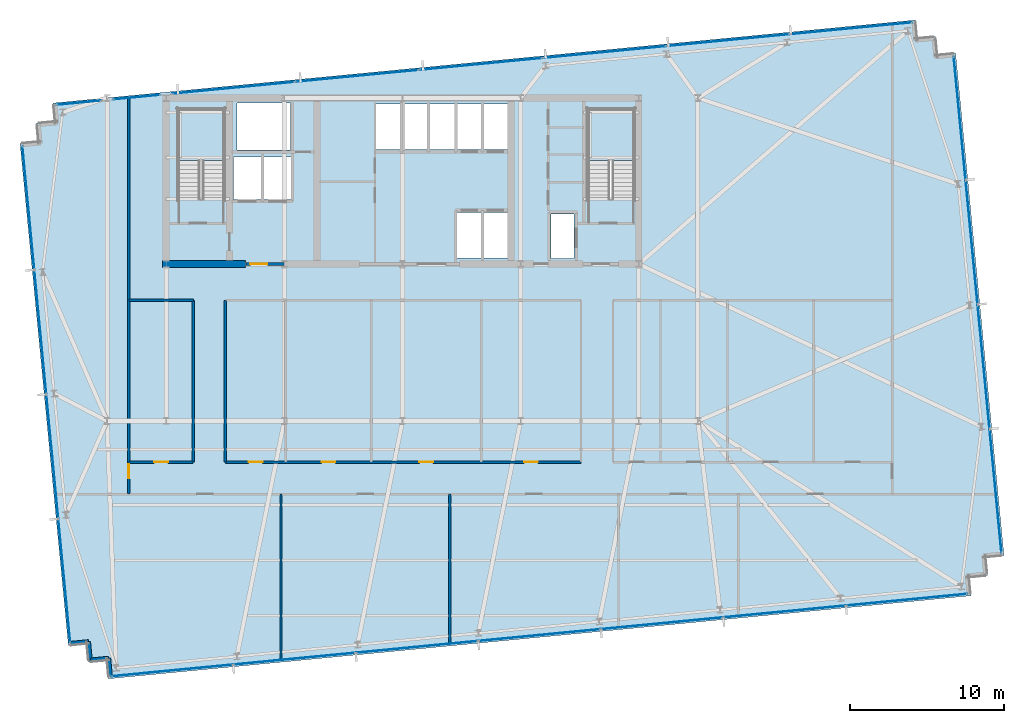
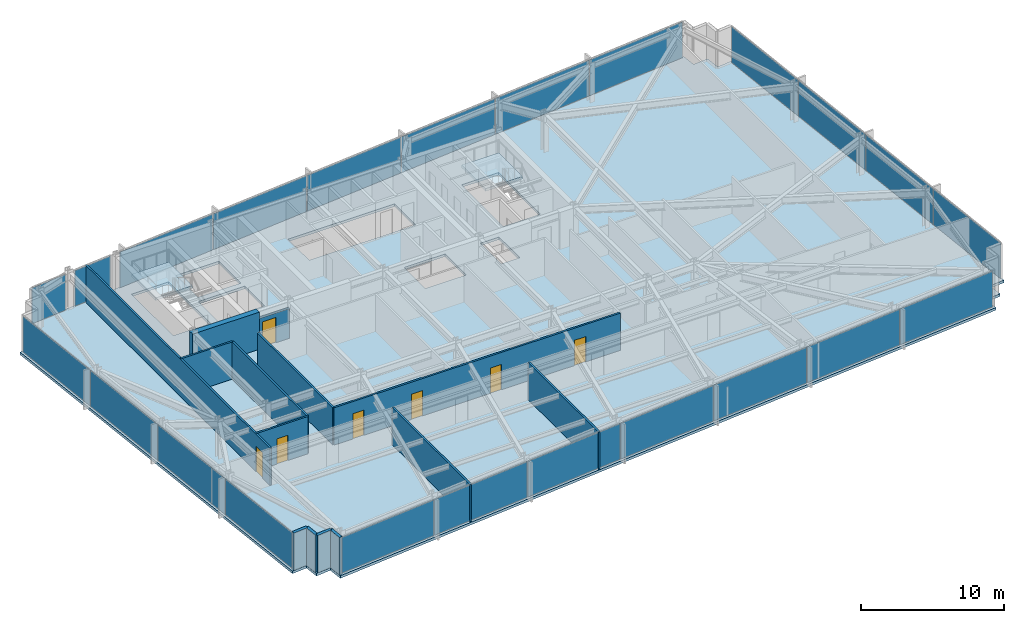
# One storey, part 24 of 33: 23 plates, 14 walls, 7 doors, 3 slabs, 7 openings, 8 elements without a shape of their own.
"""IFC4 building model written with IfcOpenShell, lengths in metres."""

from ifc_helpers import new_model, si_unit, direction, frame, frame_2d, origin, origin_2d, place, context, subcontext, project, spatial, polyline, rectangle, outline, extrude, material, layer, layer_set, type_object, element, fill, aggregate, save


model = new_model("IFC4")

# Units and contexts
model_context = context("Model", 3, precision=1e-05, world=origin(), true_north=direction((0.0, 1.0)))
body_context = subcontext(model_context, "Body", "Model", "MODEL_VIEW")
ifc_project = project(units=[si_unit("LENGTHUNIT", "METRE"), si_unit("AREAUNIT", "SQUARE_METRE"), si_unit("VOLUMEUNIT", "CUBIC_METRE"), si_unit("PLANEANGLEUNIT", "RADIAN"), si_unit("MASSUNIT", "GRAM", prefix="KILO")], contexts=[model_context])

# Site, building, storey
site_placement = place(None, origin())
site = spatial("IfcSite", under=ifc_project, at=site_placement, CompositionType="ELEMENT")
building_placement = place(site_placement, origin())
building = spatial("IfcBuilding", under=site, at=building_placement, Name="Yelkora Congress Tower", CompositionType="ELEMENT")
storey_placement = place(building_placement, frame((0.0, 0.0, 127.10009765625)))
storey = spatial("IfcBuildingStorey", under=building, at=storey_placement, Name="L34", CompositionType="ELEMENT", Elevation=127.10009765625)

# Curtain wall, plates
ifc_material_1 = material(Name="Anodised aluminium and insulated glass", Category="aluminium")
curtain_wall_type = type_object("IfcCurtainWallType", Name="CW-SYS-B2", PredefinedType="NOTDEFINED", material=ifc_material_1)
curtain_wall_1_placement = place(storey_placement, origin())
curtain_wall_1 = element("IfcCurtainWall", 1, at=curtain_wall_1_placement, inside=storey, type_object=curtain_wall_type, Name="L34 Unitised Curtain Wall 5", PredefinedType="NOTDEFINED")
ifc_material_2 = material(Name="Solar-control low-E glass unit B2", Category="glass")
ifc_layer_1 = layer(ifc_material_2, 0.0380859375)
ifc_layer_set_1 = layer_set([ifc_layer_1], Name="Solar-control low-E glass unit B2")
plate_type = type_object("IfcPlateType", Name="PLT-PN-B2", PredefinedType="CURTAIN_PANEL", material=ifc_layer_set_1)
plate_1_placement = place(storey_placement, frame((16.41650390625, 14.820068359375, 0.06494140625), z_axis=(0.0, 0.0, 1.0), x_axis=(-0.095842541913, 0.995396507508, 0.0)))
plate_1 = element("IfcPlate", 2, at=plate_1_placement, type_object=plate_type, Name="CW-B2 panel 1.1", PredefinedType="CURTAIN_PANEL", context=body_context, shape_type="SweptSolid", body=[
    extrude(rectangle(XDim=8.02490234375, YDim=0.0380859375, at=origin_2d()), origin(), (0.0, 0.0, 1.0), 3.050048828125),
])
plate_2_placement = place(storey_placement, frame((15.638916015625, 22.895263671875, 0.06494140625), z_axis=(0.0, 0.0, 1.0), x_axis=(-0.095842541913, 0.995396507508, 0.0)))
plate_2 = element("IfcPlate", 3, at=plate_2_placement, type_object=plate_type, Name="CW-B2 panel 2.1", PredefinedType="CURTAIN_PANEL", context=body_context, shape_type="SweptSolid", body=[
    extrude(rectangle(XDim=8.06005859375, YDim=0.0380859375, at=origin_2d()), origin(), (0.0, 0.0, 1.0), 3.050048828125),
])
plate_3_placement = place(storey_placement, frame((14.859619140625, 30.98779296875, 0.06494140625), z_axis=(0.0, 0.0, 1.0), x_axis=(-0.095842541913, 0.995396507508, 0.0)))
plate_3 = element("IfcPlate", 4, at=plate_3_placement, type_object=plate_type, Name="CW-B2 panel 3.1", PredefinedType="CURTAIN_PANEL", context=body_context, shape_type="SweptSolid", body=[
    extrude(rectangle(XDim=8.06005859375, YDim=0.0380859375, at=origin_2d()), origin(), (0.0, 0.0, 1.0), 3.050048828125),
])
plate_4_placement = place(storey_placement, frame((14.082275390625, 39.06298828125, 0.06494140625), z_axis=(0.0, 0.0, 1.0), x_axis=(-0.095842541913, 0.995396507508, 0.0)))
plate_4 = element("IfcPlate", 5, at=plate_4_placement, type_object=plate_type, Name="CW-B2 panel 4.1", PredefinedType="CURTAIN_PANEL", context=body_context, shape_type="SweptSolid", body=[
    extrude(rectangle(XDim=8.02490234375, YDim=0.0380859375, at=origin_2d()), origin(), (0.0, 0.0, 1.0), 3.050048828125),
])
aggregate(curtain_wall_1, [plate_1, plate_2, plate_3, plate_4])

# Curtain wall, plate
curtain_wall_2_placement = place(storey_placement, origin())
curtain_wall_2 = element("IfcCurtainWall", 6, at=curtain_wall_2_placement, inside=storey, type_object=curtain_wall_type, Name="L34 Unitised Curtain Wall 10 (1)", PredefinedType="NOTDEFINED")
plate_5_placement = place(storey_placement, frame((17.35888671875, 45.89111328125, 0.06494140625), z_axis=(0.0, 0.0, 1.0), x_axis=(0.99539681521, 0.095839346142, 0.0)))
plate_5 = element("IfcPlate", 7, at=plate_5_placement, type_object=plate_type, Name="CW-B2 panel 1.1", PredefinedType="CURTAIN_PANEL", context=body_context, shape_type="SweptSolid", body=[
    extrude(rectangle(XDim=2.89208984375, YDim=0.0380859375, at=origin_2d()), origin(), (0.0, 0.0, 1.0), 3.050048828125),
])
aggregate(curtain_wall_2, [plate_5])

curtain_wall_3_placement = place(storey_placement, origin())
curtain_wall_3 = element("IfcCurtainWall", 8, at=curtain_wall_3_placement, inside=storey, type_object=curtain_wall_type, Name="L34 Unitised Curtain Wall 10 (2)", PredefinedType="NOTDEFINED")
plate_6_placement = place(storey_placement, frame((21.1201171875, 46.253173828125, 0.06494140625), z_axis=(0.0, 0.0, 1.0), x_axis=(0.99539661748, 0.095841399764, 0.0)))
plate_6 = element("IfcPlate", 9, at=plate_6_placement, type_object=plate_type, Name="CW-B2 panel 1.1", PredefinedType="CURTAIN_PANEL", context=body_context, shape_type="SweptSolid", body=[
    extrude(rectangle(XDim=3.05078125, YDim=0.0380859375, at=origin_2d()), origin(), (0.0, 0.0, 1.0), 3.050048828125),
])
aggregate(curtain_wall_3, [plate_6])

# Curtain wall, plates
curtain_wall_4_placement = place(storey_placement, origin())
curtain_wall_4 = element("IfcCurtainWall", 10, at=curtain_wall_4_placement, inside=storey, type_object=curtain_wall_type, Name="L34 Unitised Curtain Wall 10 (3)", PredefinedType="NOTDEFINED")
plate_7_placement = place(storey_placement, frame((27.409423828125, 46.858642578125, 0.06494140625), z_axis=(0.0, 0.0, 1.0), x_axis=(0.995396344153, 0.095844238468, 0.0)))
plate_7 = element("IfcPlate", 11, at=plate_7_placement, type_object=plate_type, Name="CW-B2 panel 1.1", PredefinedType="CURTAIN_PANEL", context=body_context, shape_type="SweptSolid", body=[
    extrude(rectangle(XDim=7.97216796875, YDim=0.0380859375, at=origin_2d()), origin(), (0.0, 0.0, 1.0), 3.050048828125),
])
plate_8_placement = place(storey_placement, frame((35.431884765625, 47.631103515625, 0.06494140625), z_axis=(0.0, 0.0, 1.0), x_axis=(0.995396344153, 0.095844238468, 0.0)))
plate_8 = element("IfcPlate", 12, at=plate_8_placement, type_object=plate_type, Name="CW-B2 panel 2.1", PredefinedType="CURTAIN_PANEL", context=body_context, shape_type="SweptSolid", body=[
    extrude(rectangle(XDim=8.007080078125, YDim=0.0380859375, at=origin_2d()), origin(), (0.0, 0.0, 1.0), 3.050048828125),
])
plate_9_placement = place(storey_placement, frame((43.471923828125, 48.4052734375, 0.06494140625), z_axis=(0.0, 0.0, 1.0), x_axis=(0.995396344153, 0.095844238468, 0.0)))
plate_9 = element("IfcPlate", 13, at=plate_9_placement, type_object=plate_type, Name="CW-B2 panel 3.1", PredefinedType="CURTAIN_PANEL", context=body_context, shape_type="SweptSolid", body=[
    extrude(rectangle(XDim=8.007080078125, YDim=0.0380859375, at=origin_2d()), origin(), (0.0, 0.0, 1.0), 3.050048828125),
])
plate_10_placement = place(storey_placement, frame((51.511962890625, 49.179443359375, 0.06494140625), z_axis=(0.0, 0.0, 1.0), x_axis=(0.995396344153, 0.095844238468, 0.0)))
plate_10 = element("IfcPlate", 14, at=plate_10_placement, type_object=plate_type, Name="CW-B2 panel 4.1", PredefinedType="CURTAIN_PANEL", context=body_context, shape_type="SweptSolid", body=[
    extrude(rectangle(XDim=8.007080078125, YDim=0.0380859375, at=origin_2d()), origin(), (0.0, 0.0, 1.0), 3.050048828125),
])
plate_11_placement = place(storey_placement, frame((59.552001953125, 49.95361328125, 0.06494140625), z_axis=(0.0, 0.0, 1.0), x_axis=(0.995396344153, 0.095844238468, 0.0)))
plate_11 = element("IfcPlate", 15, at=plate_11_placement, type_object=plate_type, Name="CW-B2 panel 5.1", PredefinedType="CURTAIN_PANEL", context=body_context, shape_type="SweptSolid", body=[
    extrude(rectangle(XDim=8.007080078125, YDim=0.0380859375, at=origin_2d()), origin(), (0.0, 0.0, 1.0), 3.050048828125),
])
plate_12_placement = place(storey_placement, frame((67.574462890625, 50.72607421875, 0.06494140625), z_axis=(0.0, 0.0, 1.0), x_axis=(0.995396344153, 0.095844238468, 0.0)))
plate_12 = element("IfcPlate", 16, at=plate_12_placement, type_object=plate_type, Name="CW-B2 panel 6.1", PredefinedType="CURTAIN_PANEL", context=body_context, shape_type="SweptSolid", body=[
    extrude(rectangle(XDim=7.97216796875, YDim=0.0380859375, at=origin_2d()), origin(), (0.0, 0.0, 1.0), 3.050048828125),
])
aggregate(curtain_wall_4, [plate_7, plate_8, plate_9, plate_10, plate_11, plate_12])

curtain_wall_5_placement = place(storey_placement, origin())
curtain_wall_5 = element("IfcCurtainWall", 17, at=curtain_wall_5_placement, inside=storey, type_object=curtain_wall_type, Name="L34 Unitised Curtain Wall 15", PredefinedType="NOTDEFINED")
plate_13_placement = place(storey_placement, frame((74.6220703125, 44.892333984375, 0.06494140625), z_axis=(0.0, 0.0, 1.0), x_axis=(0.095842541913, -0.995396507508, 0.0)))
plate_13 = element("IfcPlate", 18, at=plate_13_placement, type_object=plate_type, Name="CW-B2 panel 1.1", PredefinedType="CURTAIN_PANEL", context=body_context, shape_type="SweptSolid", body=[
    extrude(rectangle(XDim=8.02490234375, YDim=0.0380859375, at=origin_2d()), origin(), (0.0, 0.0, 1.0), 3.050048828125),
])
plate_14_placement = place(storey_placement, frame((75.399658203125, 36.817138671875, 0.06494140625), z_axis=(0.0, 0.0, 1.0), x_axis=(0.095842541913, -0.995396507508, 0.0)))
plate_14 = element("IfcPlate", 19, at=plate_14_placement, type_object=plate_type, Name="CW-B2 panel 2.1", PredefinedType="CURTAIN_PANEL", context=body_context, shape_type="SweptSolid", body=[
    extrude(rectangle(XDim=8.06005859375, YDim=0.0380859375, at=origin_2d()), origin(), (0.0, 0.0, 1.0), 3.050048828125),
])
plate_15_placement = place(storey_placement, frame((76.178955078125, 28.724609375, 0.06494140625), z_axis=(0.0, 0.0, 1.0), x_axis=(0.095842541913, -0.995396507508, 0.0)))
plate_15 = element("IfcPlate", 20, at=plate_15_placement, type_object=plate_type, Name="CW-B2 panel 3.1", PredefinedType="CURTAIN_PANEL", context=body_context, shape_type="SweptSolid", body=[
    extrude(rectangle(XDim=8.06005859375, YDim=0.0380859375, at=origin_2d()), origin(), (0.0, 0.0, 1.0), 3.050048828125),
])
plate_16_placement = place(storey_placement, frame((76.95654296875, 20.6494140625, 0.06494140625), z_axis=(0.0, 0.0, 1.0), x_axis=(0.095842541913, -0.995396507508, 0.0)))
plate_16 = element("IfcPlate", 21, at=plate_16_placement, type_object=plate_type, Name="CW-B2 panel 4.1", PredefinedType="CURTAIN_PANEL", context=body_context, shape_type="SweptSolid", body=[
    extrude(rectangle(XDim=8.02490234375, YDim=0.0380859375, at=origin_2d()), origin(), (0.0, 0.0, 1.0), 3.050048828125),
])
aggregate(curtain_wall_5, [plate_13, plate_14, plate_15, plate_16])

curtain_wall_6_placement = place(storey_placement, origin())
curtain_wall_6 = element("IfcCurtainWall", 22, at=curtain_wall_6_placement, inside=storey, type_object=curtain_wall_type, Name="L34 Unitised Curtain Wall 20", PredefinedType="NOTDEFINED")
plate_17_placement = place(storey_placement, frame((71.1884765625, 13.58154296875, 0.06494140625), z_axis=(0.0, 0.0, 1.0), x_axis=(-0.995396333816, -0.095844345816, 0.0)))
plate_17 = element("IfcPlate", 23, at=plate_17_placement, type_object=plate_type, Name="CW-B2 panel 1.1", PredefinedType="CURTAIN_PANEL", context=body_context, shape_type="SweptSolid", body=[
    extrude(rectangle(XDim=7.89794921875, YDim=0.0380859375, at=origin_2d()), origin(), (0.0, 0.0, 1.0), 3.050048828125),
])
plate_18_placement = place(storey_placement, frame((63.23974609375, 12.816162109375, 0.06494140625), z_axis=(0.0, 0.0, 1.0), x_axis=(-0.995396333816, -0.095844345816, 0.0)))
plate_18 = element("IfcPlate", 24, at=plate_18_placement, type_object=plate_type, Name="CW-B2 panel 2.1", PredefinedType="CURTAIN_PANEL", context=body_context, shape_type="SweptSolid", body=[
    extrude(rectangle(XDim=7.932861328125, YDim=0.0380859375, at=origin_2d()), origin(), (0.0, 0.0, 1.0), 3.050048828125),
])
plate_19_placement = place(storey_placement, frame((55.273681640625, 12.049072265625, 0.06494140625), z_axis=(0.0, 0.0, 1.0), x_axis=(-0.995396333816, -0.095844345816, 0.0)))
plate_19 = element("IfcPlate", 25, at=plate_19_placement, type_object=plate_type, Name="CW-B2 panel 3.1", PredefinedType="CURTAIN_PANEL", context=body_context, shape_type="SweptSolid", body=[
    extrude(rectangle(XDim=7.932861328125, YDim=0.0380859375, at=origin_2d()), origin(), (0.0, 0.0, 1.0), 3.050048828125),
])
plate_20_placement = place(storey_placement, frame((47.307861328125, 11.281982421875, 0.06494140625), z_axis=(0.0, 0.0, 1.0), x_axis=(-0.995396333816, -0.095844345816, 0.0)))
plate_20 = element("IfcPlate", 26, at=plate_20_placement, type_object=plate_type, Name="CW-B2 panel 4.1", PredefinedType="CURTAIN_PANEL", context=body_context, shape_type="SweptSolid", body=[
    extrude(rectangle(XDim=7.932861328125, YDim=0.0380859375, at=origin_2d()), origin(), (0.0, 0.0, 1.0), 3.050048828125),
])
plate_21_placement = place(storey_placement, frame((39.341796875, 10.51513671875, 0.06494140625), z_axis=(0.0, 0.0, 1.0), x_axis=(-0.995396333816, -0.095844345816, 0.0)))
plate_21 = element("IfcPlate", 27, at=plate_21_placement, type_object=plate_type, Name="CW-B2 panel 5.1", PredefinedType="CURTAIN_PANEL", context=body_context, shape_type="SweptSolid", body=[
    extrude(rectangle(XDim=7.932861328125, YDim=0.0380859375, at=origin_2d()), origin(), (0.0, 0.0, 1.0), 3.050048828125),
])
plate_22_placement = place(storey_placement, frame((31.375732421875, 9.748046875, 0.06494140625), z_axis=(0.0, 0.0, 1.0), x_axis=(-0.995396333816, -0.095844345816, 0.0)))
plate_22 = element("IfcPlate", 28, at=plate_22_placement, type_object=plate_type, Name="CW-B2 panel 6.1", PredefinedType="CURTAIN_PANEL", context=body_context, shape_type="SweptSolid", body=[
    extrude(rectangle(XDim=7.932861328125, YDim=0.0380859375, at=origin_2d()), origin(), (0.0, 0.0, 1.0), 3.050048828125),
])
plate_23_placement = place(storey_placement, frame((23.42724609375, 8.982666015625, 0.06494140625), z_axis=(0.0, 0.0, 1.0), x_axis=(-0.995396333816, -0.095844345816, 0.0)))
plate_23 = element("IfcPlate", 29, at=plate_23_placement, type_object=plate_type, Name="CW-B2 panel 7.1", PredefinedType="CURTAIN_PANEL", context=body_context, shape_type="SweptSolid", body=[
    extrude(rectangle(XDim=7.89794921875, YDim=0.0380859375, at=origin_2d()), origin(), (0.0, 0.0, 1.0), 3.050048828125),
])
aggregate(curtain_wall_6, [plate_17, plate_18, plate_19, plate_20, plate_21, plate_22, plate_23])

# Stair, slab
ifc_material_3 = material(Name="Concrete C40/50", Category="concrete")
stair_type = type_object("IfcStairType", Name="STAIR-HT-1420-R20-170", PredefinedType="HALF_TURN_STAIR", material=ifc_material_3)
stair_1_placement = place(storey_placement, origin())
stair_1 = element("IfcStair", 30, at=stair_1_placement, inside=storey, type_object=stair_type, Name="West Core Protected Exit Stair ST-01 (L34)", PredefinedType="HALF_TURN_STAIR")
ifc_layer_2 = layer(ifc_material_3, 0.219970703125)
ifc_layer_set_2 = layer_set([ifc_layer_2], Name="Concrete C40/50")
slab_type_1 = type_object("IfcSlabType", Name="SLAB-LANDING-220", PredefinedType="LANDING", material=ifc_layer_set_2)
slab_1_placement = place(storey_placement, frame((0.0, 0.0, 1.47998046875)))
slab_1 = element("IfcSlab", 31, at=slab_1_placement, type_object=slab_type_1, Name="ST-01 L34 Half Landing 1", PredefinedType="LANDING", context=body_context, shape_type="SweptSolid", body=[
    extrude(outline(polyline([(26.820068359375, 42.1201171875), (26.820068359375, 45.469970703125), (23.820068359375, 45.469970703125), (23.820068359375, 42.1201171875), (26.820068359375, 42.1201171875)])), origin(), (0.0, 0.0, 1.0), 0.219970703125),
])
aggregate(stair_1, [slab_1])

stair_2_placement = place(storey_placement, origin())
stair_2 = element("IfcStair", 32, at=stair_2_placement, inside=storey, type_object=stair_type, Name="East Core Protected Exit Stair ST-02 (L34)", PredefinedType="HALF_TURN_STAIR")
slab_2_placement = place(storey_placement, frame((0.0, 0.0, 1.47998046875)))
slab_2 = element("IfcSlab", 33, at=slab_2_placement, type_object=slab_type_1, Name="ST-02 L34 Half Landing 1", PredefinedType="LANDING", context=body_context, shape_type="SweptSolid", body=[
    extrude(outline(polyline([(53.4599609375, 42.1201171875), (53.4599609375, 45.469970703125), (50.4599609375, 45.469970703125), (50.4599609375, 42.1201171875), (53.4599609375, 42.1201171875)])), origin(), (0.0, 0.0, 1.0), 0.219970703125),
])
aggregate(stair_2, [slab_2])

# Slab
ifc_layer_3 = layer(ifc_material_3, 0.219970703125)
ifc_layer_set_3 = layer_set([ifc_layer_3], Name="Concrete C40/50")
slab_type_2 = type_object("IfcSlabType", Name="SLAB-TWR-220", PredefinedType="FLOOR", material=ifc_layer_set_3)
slab_3_placement = place(storey_placement, frame((0.0, 0.0, -0.22021484375)))
element("IfcSlab", 34, at=slab_3_placement, inside=storey, type_object=slab_type_2, Name="L34 Structural Floor Slab", PredefinedType="FLOOR", context=body_context, shape_type="SweptSolid", body=[
    extrude(outline(polyline([(19.30078125, 8.444580078125), (75.341552734375, 13.8408203125), (75.2265625, 15.035400390625), (76.421142578125, 15.150390625), (76.30615234375, 16.3447265625), (77.50048828125, 16.459716796875), (74.356689453125, 49.10888671875), (73.162353515625, 48.99365234375), (73.04736328125, 50.188232421875), (71.852783203125, 50.0732421875), (71.73779296875, 51.267578125), (15.697021484375, 45.87158203125), (15.81201171875, 44.677001953125), (14.61767578125, 44.56201171875), (14.732666015625, 43.36767578125), (13.5380859375, 43.252685546875), (16.681884765625, 10.603515625), (17.876220703125, 10.718505859375), (17.9912109375, 9.524169921875), (19.185791015625, 9.63916015625), (19.30078125, 8.444580078125)]), holes=[polyline([(23.820068359375, 39.6298828125), (26.820068359375, 39.6298828125), (26.820068359375, 45.469970703125), (23.820068359375, 45.469970703125), (23.820068359375, 39.6298828125)]), polyline([(50.4599609375, 39.6298828125), (53.4599609375, 39.6298828125), (53.4599609375, 45.469970703125), (50.4599609375, 45.469970703125), (50.4599609375, 39.6298828125)]), polyline([(48.050048828125, 35.75), (49.550048828125, 35.75), (49.550048828125, 38.64990234375), (48.050048828125, 38.64990234375), (48.050048828125, 35.75)]), polyline([(36.64990234375, 42.85009765625), (45.25, 42.85009765625), (45.25, 45.800048828125), (36.64990234375, 45.800048828125), (36.64990234375, 42.85009765625)]), polyline([(41.949951171875, 35.800048828125), (45.25, 35.800048828125), (45.25, 38.75), (41.949951171875, 38.75), (41.949951171875, 35.800048828125)]), polyline([(27.419921875, 39.60009765625), (31.179931640625, 39.60009765625), (31.179931640625, 42.35009765625), (27.419921875, 42.35009765625), (27.419921875, 39.60009765625)]), polyline([(27.64990234375, 42.820068359375), (31.1201171875, 42.820068359375), (31.1201171875, 45.8798828125), (27.64990234375, 45.8798828125), (27.64990234375, 42.820068359375)])]), origin(), (0.0, 0.0, 1.0), 0.22021484375),
])

# Walls
ifc_material_4 = material(Name="Concrete C60/75", Category="concrete")
ifc_layer_4 = layer(ifc_material_4, 0.449951171875)
ifc_layer_set_4 = layer_set([ifc_layer_4], Name="Concrete C60/75")
wall_type_1 = type_object("IfcWallType", Name="WALL-CORE-INT-450", PredefinedType="SHEAR", material=ifc_layer_set_4)
wall_1_placement = place(storey_placement, frame((22.81494140625, 35.39990234375, 0.0), z_axis=(0.0, 0.0, 1.0), x_axis=(1.0, 0.0, 0.0)))
element("IfcWall", 35, at=wall_1_placement, inside=storey, type_object=wall_type_1, Name="L34 Rear Core South-West Shear Wall", PredefinedType="SHEAR", context=body_context, shape_type="SweptSolid", body=[
    extrude(rectangle(XDim=5.385009765625, YDim=0.449951171875, at=frame_2d((2.6923828125, 0.0))), origin(), (0.0, 0.0, 1.0), 3.179931640625),
])
ifc_layer_5 = layer(ifc_material_3, 0.239990234375)
ifc_layer_set_5 = layer_set([ifc_layer_5], Name="Concrete C40/50")
wall_type_2 = type_object("IfcWallType", Name="WALL-EXT-LIMESTONE-240", PredefinedType="SOLIDWALL", material=ifc_layer_set_5)
for number, where, z_axis, x_axis, name in (
    (36, (19.4267578125, 8.597412109375, 0.0), (0.0, 0.0, 1.0), (-0.095817067274, 0.995398960025, 0.0), "L34 Serrated Corner Limestone Pier 1"),
    (37, (19.311767578125, 9.7919921875, 0.0), (0.0, 0.0, 1.0), (-0.995398960025, -0.095817067274, 0.0), "L34 Serrated Corner Limestone Pier 2"),
):
    element("IfcWall", number, at=place(storey_placement, frame(where, z_axis=z_axis, x_axis=x_axis)), inside=storey, type_object=wall_type_2, Name=name, PredefinedType="SOLIDWALL", context=body_context, shape_type="SweptSolid", body=[
        extrude(rectangle(XDim=1.2001953125, YDim=0.239990234375, at=frame_2d((0.60009765625, 0.0))), origin(), (0.0, 0.0, 1.0), 3.179931640625),
    ])
wall_2_placement = place(storey_placement, frame((18.1171875, 9.677001953125, 0.0), z_axis=(0.0, 0.0, 1.0), x_axis=(-0.095836473879, 0.995397091755, 0.0)))
element("IfcWall", 38, at=wall_2_placement, inside=storey, type_object=wall_type_2, Name="L34 Serrated Corner Limestone Pier 3", PredefinedType="SOLIDWALL", context=body_context, shape_type="SweptSolid", body=[
    extrude(rectangle(XDim=1.199951171875, YDim=0.239990234375, at=frame_2d((0.60009765625, 0.0))), origin(), (0.0, 0.0, 1.0), 3.179931640625),
])
wall_3_placement = place(storey_placement, frame((18.002197265625, 10.871337890625, 0.0), z_axis=(0.0, 0.0, 1.0), x_axis=(-0.995398960025, -0.095817067274, 0.0)))
element("IfcWall", 39, at=wall_3_placement, inside=storey, type_object=wall_type_2, Name="L34 Serrated Corner Limestone Pier 4", PredefinedType="SOLIDWALL", context=body_context, shape_type="SweptSolid", body=[
    extrude(rectangle(XDim=1.2001953125, YDim=0.239990234375, at=frame_2d((0.60009765625, 0.0))), origin(), (0.0, 0.0, 1.0), 3.179931640625),
])
ifc_material_5 = material(Name="Acoustic metal-stud gypsum partition", Category="gypsum")
ifc_layer_6 = layer(ifc_material_5, 0.14990234375)
ifc_layer_set_6 = layer_set([ifc_layer_6], Name="Acoustic metal-stud gypsum partition")
wall_type_3 = type_object("IfcWallType", Name="WALL-INT-150-NR", PredefinedType="PARTITIONING", material=ifc_layer_set_6)
wall_4_placement = place(storey_placement, frame((30.5009765625, 9.603515625, 0.0), z_axis=(0.0, 0.0, 1.0), x_axis=(0.0, 1.0, 0.0)))
element("IfcWall", 40, at=wall_4_placement, inside=storey, type_object=wall_type_3, Name="L34 Partition Wall 28", PredefinedType="PARTITIONING", context=body_context, shape_type="SweptSolid", body=[
    extrude(rectangle(XDim=10.866455078125, YDim=0.14990234375, at=frame_2d((5.43310546875, 0.0))), origin(), (0.0, 0.0, 1.0), 3.179931640625),
])
wall_5_placement = place(storey_placement, frame((41.47509765625, 10.66015625, 0.0), z_axis=(0.0, 0.0, 1.0), x_axis=(0.0, 1.0, 0.0)))
element("IfcWall", 41, at=wall_5_placement, inside=storey, type_object=wall_type_3, Name="L34 Partition Wall 29", PredefinedType="PARTITIONING", context=body_context, shape_type="SweptSolid", body=[
    extrude(rectangle(XDim=9.809814453125, YDim=0.14990234375, at=frame_2d((4.90478515625, 0.0))), origin(), (0.0, 0.0, 1.0), 3.179931640625),
])

# Wall, opening, door
wall_6_placement = place(storey_placement, frame((20.614013671875, 20.449951171875, 0.0), z_axis=(0.0, 0.0, 1.0), x_axis=(0.0, 1.0, 0.0)))
wall_6 = element("IfcWall", 42, at=wall_6_placement, inside=storey, type_object=wall_type_3, Name="L34 Partition Wall 33", PredefinedType="PARTITIONING", context=body_context, shape_type="SweptSolid", body=[
    extrude(rectangle(XDim=25.814697265625, YDim=0.14990234375, at=frame_2d((12.9072265625, 0.0))), origin(), (0.0, 0.0, 1.0), 3.179931640625),
])
opening_1_placement = place(wall_6_placement, frame((1.030029296875, 0.0, 0.0)))
opening_1 = element("IfcOpeningElement", 43, at=opening_1_placement, cuts=wall_6, Name="Opening DR-090N", PredefinedType="OPENING", context=body_context, shape_type="SweptSolid", body=[
    extrude(rectangle(XDim=0.89990234375, YDim=2.14990234375, at=frame_2d((0.449951171875, 1.074951171875))), frame((0.0, 0.0849609375, 0.0), z_axis=(0.0, -1.0, 0.0), x_axis=(1.0, 0.0, 0.0)), (0.0, 0.0, 1.0), 0.169921875),
])
ifc_material_6 = material(Name="Moisture-resistant laminate door leaf", Category="wood")
door_type_1 = type_object("IfcDoorType", Name="DOOR-INT-900", OperationType="NOTDEFINED", PredefinedType="DOOR", material=ifc_material_6)
door_1_placement = place(opening_1_placement, origin())
door_1 = element("IfcDoor", 44, at=door_1_placement, inside=storey, type_object=door_type_1, Name="L34 W Wing Door", OperationType="SINGLE_SWING_LEFT", OverallHeight=2.14990234375, OverallWidth=0.89990234375, PredefinedType="DOOR", context=body_context, shape_type="SweptSolid", body=[
    extrude(rectangle(XDim=0.89990234375, YDim=2.14990234375, at=frame_2d((0.449951171875, 1.074951171875))), frame((0.0, 0.02490234375, 0.0), z_axis=(0.0, -1.0, 0.0), x_axis=(1.0, 0.0, 0.0)), (0.0, 0.0, 1.0), 0.050048828125),
])
fill(opening_1, door_1)

# Walls
for number, where, z_axis, x_axis, name in (
    (45, (24.800048828125, 22.530029296875, 0.0), (0.0, 0.0, 1.0), (0.0, 1.0, 0.0), "L34 Partition Wall 35"),
    (46, (26.8798828125, 22.530029296875, 0.0), (0.0, 0.0, 1.0), (0.0, 1.0, 0.0), "L34 Partition Wall 36"),
):
    element("IfcWall", number, at=place(storey_placement, frame(where, z_axis=z_axis, x_axis=x_axis)), inside=storey, type_object=wall_type_3, Name=name, PredefinedType="PARTITIONING", context=body_context, shape_type="SweptSolid", body=[
        extrude(rectangle(XDim=10.52001953125, YDim=0.14990234375, at=frame_2d((5.260009765625, 0.0))), origin(), (0.0, 0.0, 1.0), 3.179931640625),
    ])
wall_7_placement = place(storey_placement, frame((20.614013671875, 33.050048828125, 0.0), z_axis=(0.0, 0.0, 1.0), x_axis=(1.0, 0.0, 0.0)))
element("IfcWall", 47, at=wall_7_placement, inside=storey, type_object=wall_type_3, Name="L34 Partition Wall 39", PredefinedType="PARTITIONING", context=body_context, shape_type="SweptSolid", body=[
    extrude(rectangle(XDim=4.18603515625, YDim=0.14990234375, at=frame_2d((2.093017578125, 0.0))), origin(), (0.0, 0.0, 1.0), 3.179931640625),
])

# Wall, opening, door
wall_8_placement = place(storey_placement, frame((20.634033203125, 22.530029296875, 0.0), z_axis=(0.0, 0.0, 1.0), x_axis=(1.0, 0.0, 0.0)))
wall_8 = element("IfcWall", 48, at=wall_8_placement, inside=storey, type_object=wall_type_3, Name="L34 Partition Wall 42", PredefinedType="PARTITIONING", context=body_context, shape_type="SweptSolid", body=[
    extrude(rectangle(XDim=4.156005859375, YDim=0.14990234375, at=frame_2d((2.078125, 0.0))), origin(), (0.0, 0.0, 1.0), 3.179931640625),
])
opening_2_placement = place(wall_8_placement, frame((1.6279296875, 0.0, 0.0)))
opening_2 = element("IfcOpeningElement", 49, at=opening_2_placement, cuts=wall_8, Name="Opening DR-090N", PredefinedType="OPENING", context=body_context, shape_type="SweptSolid", body=[
    extrude(rectangle(XDim=0.89990234375, YDim=2.14990234375, at=frame_2d((0.449951171875, 1.074951171875))), frame((0.0, 0.0849609375, 0.0), z_axis=(0.0, -1.0, 0.0), x_axis=(1.0, 0.0, 0.0)), (0.0, 0.0, 1.0), 0.169921875),
])
door_2_placement = place(opening_2_placement, origin())
door_2 = element("IfcDoor", 50, at=door_2_placement, inside=storey, type_object=door_type_1, Name="L34 Seminar Briefing Room Door", OperationType="SINGLE_SWING_LEFT", OverallHeight=2.14990234375, OverallWidth=0.89990234375, PredefinedType="DOOR", context=body_context, shape_type="SweptSolid", body=[
    extrude(rectangle(XDim=0.89990234375, YDim=2.14990234375, at=frame_2d((0.449951171875, 1.074951171875))), frame((0.0, 0.02490234375, 0.0), z_axis=(0.0, -1.0, 0.0), x_axis=(1.0, 0.0, 0.0)), (0.0, 0.0, 1.0), 0.050048828125),
])
fill(opening_2, door_2)

# Wall, openings, doors
wall_9_placement = place(storey_placement, frame((26.889892578125, 22.530029296875, 0.0), z_axis=(0.0, 0.0, 1.0), x_axis=(1.0, 0.0, 0.0)))
wall_9 = element("IfcWall", 51, at=wall_9_placement, inside=storey, type_object=wall_type_3, Name="L34 Partition Wall 46", PredefinedType="PARTITIONING", context=body_context, shape_type="SweptSolid", body=[
    extrude(rectangle(XDim=23.10009765625, YDim=0.14990234375, at=frame_2d((11.550048828125, 0.0))), origin(), (0.0, 0.0, 1.0), 3.179931640625),
])
opening_3_placement = place(wall_9_placement, frame((1.513427734375, 0.0, 0.0)))
opening_3 = element("IfcOpeningElement", 52, at=opening_3_placement, cuts=wall_9, Name="Opening DR-090N", PredefinedType="OPENING", context=body_context, shape_type="SweptSolid", body=[
    extrude(rectangle(XDim=0.89990234375, YDim=2.14990234375, at=frame_2d((0.449951171875, 1.074951171875))), frame((0.0, 0.0849609375, 0.0), z_axis=(0.0, -1.0, 0.0), x_axis=(1.0, 0.0, 0.0)), (0.0, 0.0, 1.0), 0.169921875),
])
opening_4_placement = place(wall_9_placement, frame((6.2490234375, 0.0, 0.0)))
opening_4 = element("IfcOpeningElement", 53, at=opening_4_placement, cuts=wall_9, Name="Opening DR-090N", PredefinedType="OPENING", context=body_context, shape_type="SweptSolid", body=[
    extrude(rectangle(XDim=0.89990234375, YDim=2.14990234375, at=frame_2d((0.449951171875, 1.074951171875))), frame((0.0, 0.0849609375, 0.0), z_axis=(0.0, -1.0, 0.0), x_axis=(1.0, 0.0, 0.0)), (0.0, 0.0, 1.0), 0.169921875),
])
opening_5_placement = place(wall_9_placement, frame((12.6015625, 0.0, 0.0)))
opening_5 = element("IfcOpeningElement", 54, at=opening_5_placement, cuts=wall_9, Name="Opening DR-090N", PredefinedType="OPENING", context=body_context, shape_type="SweptSolid", body=[
    extrude(rectangle(XDim=0.89990234375, YDim=2.14990234375, at=frame_2d((0.449951171875, 1.074951171875))), frame((0.0, 0.0849609375, 0.0), z_axis=(0.0, -1.0, 0.0), x_axis=(1.0, 0.0, 0.0)), (0.0, 0.0, 1.0), 0.169921875),
])
opening_6_placement = place(wall_9_placement, frame((19.416015625, 0.0, 0.0)))
opening_6 = element("IfcOpeningElement", 55, at=opening_6_placement, cuts=wall_9, Name="Opening DR-090N", PredefinedType="OPENING", context=body_context, shape_type="SweptSolid", body=[
    extrude(rectangle(XDim=0.89990234375, YDim=2.14990234375, at=frame_2d((0.449951171875, 1.074951171875))), frame((0.0, 0.0849609375, 0.0), z_axis=(0.0, -1.0, 0.0), x_axis=(1.0, 0.0, 0.0)), (0.0, 0.0, 1.0), 0.169921875),
])
door_3_placement = place(opening_3_placement, origin())
door_3 = element("IfcDoor", 56, at=door_3_placement, inside=storey, type_object=door_type_1, Name="L34 Executive Study Office Door", OperationType="SINGLE_SWING_RIGHT", OverallHeight=2.14990234375, OverallWidth=0.89990234375, PredefinedType="DOOR", context=body_context, shape_type="SweptSolid", body=[
    extrude(rectangle(XDim=0.89990234375, YDim=2.14990234375, at=frame_2d((0.449951171875, 1.074951171875))), frame((0.0, 0.02490234375, 0.0), z_axis=(0.0, -1.0, 0.0), x_axis=(1.0, 0.0, 0.0)), (0.0, 0.0, 1.0), 0.050048828125),
])
fill(opening_3, door_3)
door_4_placement = place(opening_4_placement, origin())
door_4 = element("IfcDoor", 57, at=door_4_placement, inside=storey, type_object=door_type_1, Name="L34 Delegate Reading Lounge Door", OperationType="SINGLE_SWING_LEFT", OverallHeight=2.14990234375, OverallWidth=0.89990234375, PredefinedType="DOOR", context=body_context, shape_type="SweptSolid", body=[
    extrude(rectangle(XDim=0.89990234375, YDim=2.14990234375, at=frame_2d((0.449951171875, 1.074951171875))), frame((0.0, 0.02490234375, 0.0), z_axis=(0.0, -1.0, 0.0), x_axis=(1.0, 0.0, 0.0)), (0.0, 0.0, 1.0), 0.050048828125),
])
fill(opening_4, door_4)
door_5_placement = place(opening_5_placement, origin())
door_5 = element("IfcDoor", 58, at=door_5_placement, inside=storey, type_object=door_type_1, Name="L34 Seminar Briefing Room Door", OperationType="SINGLE_SWING_RIGHT", OverallHeight=2.14990234375, OverallWidth=0.89990234375, PredefinedType="DOOR", context=body_context, shape_type="SweptSolid", body=[
    extrude(rectangle(XDim=0.89990234375, YDim=2.14990234375, at=frame_2d((0.449951171875, 1.074951171875))), frame((0.0, 0.02490234375, 0.0), z_axis=(0.0, -1.0, 0.0), x_axis=(1.0, 0.0, 0.0)), (0.0, 0.0, 1.0), 0.050048828125),
])
fill(opening_5, door_5)
door_6_placement = place(opening_6_placement, origin())
door_6 = element("IfcDoor", 59, at=door_6_placement, inside=storey, type_object=door_type_1, Name="L34 Executive Study Office Door", OperationType="SINGLE_SWING_LEFT", OverallHeight=2.14990234375, OverallWidth=0.89990234375, PredefinedType="DOOR", context=body_context, shape_type="SweptSolid", body=[
    extrude(rectangle(XDim=0.89990234375, YDim=2.14990234375, at=frame_2d((0.449951171875, 1.074951171875))), frame((0.0, 0.02490234375, 0.0), z_axis=(0.0, -1.0, 0.0), x_axis=(1.0, 0.0, 0.0)), (0.0, 0.0, 1.0), 0.050048828125),
])
fill(opening_6, door_6)

# Wall, opening, door
ifc_material_7 = material(Name="Autoclaved aerated concrete blockwork", Category="masonry")
ifc_layer_7 = layer(ifc_material_7, 0.199951171875)
ifc_layer_set_7 = layer_set([ifc_layer_7], Name="Autoclaved aerated concrete blockwork")
wall_type_4 = type_object("IfcWallType", Name="WALL-INT-200-R120", PredefinedType="PARTITIONING", material=ifc_layer_set_7)
wall_10_placement = place(storey_placement, frame((28.219970703125, 35.39990234375, 0.0), z_axis=(0.0, 0.0, 1.0), x_axis=(1.0, 0.0, 0.0)))
wall_10 = element("IfcWall", 60, at=wall_10_placement, inside=storey, type_object=wall_type_4, Name="L34 Firefighting Lobby South Wall", PredefinedType="PARTITIONING", context=body_context, shape_type="SweptSolid", body=[
    extrude(rectangle(XDim=2.5, YDim=0.199951171875, at=frame_2d((1.25, 0.0))), origin(), (0.0, 0.0, 1.0), 2.52490234375),
])
opening_7_placement = place(wall_10_placement, frame((0.300048828125, 0.0, 0.0)))
opening_7 = element("IfcOpeningElement", 61, at=opening_7_placement, cuts=wall_10, Name="Opening DR-110F9", PredefinedType="OPENING", context=body_context, shape_type="SweptSolid", body=[
    extrude(rectangle(XDim=1.10009765625, YDim=2.14990234375, at=frame_2d((0.550048828125, 1.074951171875))), frame((0.0, 0.10986328125, 0.0), z_axis=(0.0, -1.0, 0.0), x_axis=(1.0, 0.0, 0.0)), (0.0, 0.0, 1.0), 0.219970703125),
])
ifc_material_8 = material(Name="Galvanised steel fire door leaf", Category="steel")
door_type_2 = type_object("IfcDoorType", Name="DOOR-FD90-1100", OperationType="NOTDEFINED", PredefinedType="DOOR", material=ifc_material_8)
door_7_placement = place(opening_7_placement, origin())
door_7 = element("IfcDoor", 62, at=door_7_placement, inside=storey, type_object=door_type_2, Name="L34 Firefighting Lobby Corridor Door", OperationType="SINGLE_SWING_RIGHT", OverallHeight=2.14990234375, OverallWidth=1.10009765625, PredefinedType="DOOR", context=body_context, shape_type="SweptSolid", body=[
    extrude(rectangle(XDim=1.10009765625, YDim=2.14990234375, at=frame_2d((0.550048828125, 1.074951171875))), frame((0.0, 0.02490234375, 0.0), z_axis=(0.0, -1.0, 0.0), x_axis=(1.0, 0.0, 0.0)), (0.0, 0.0, 1.0), 0.050048828125),
])
fill(opening_7, door_7)

save(model, "model.ifc")
